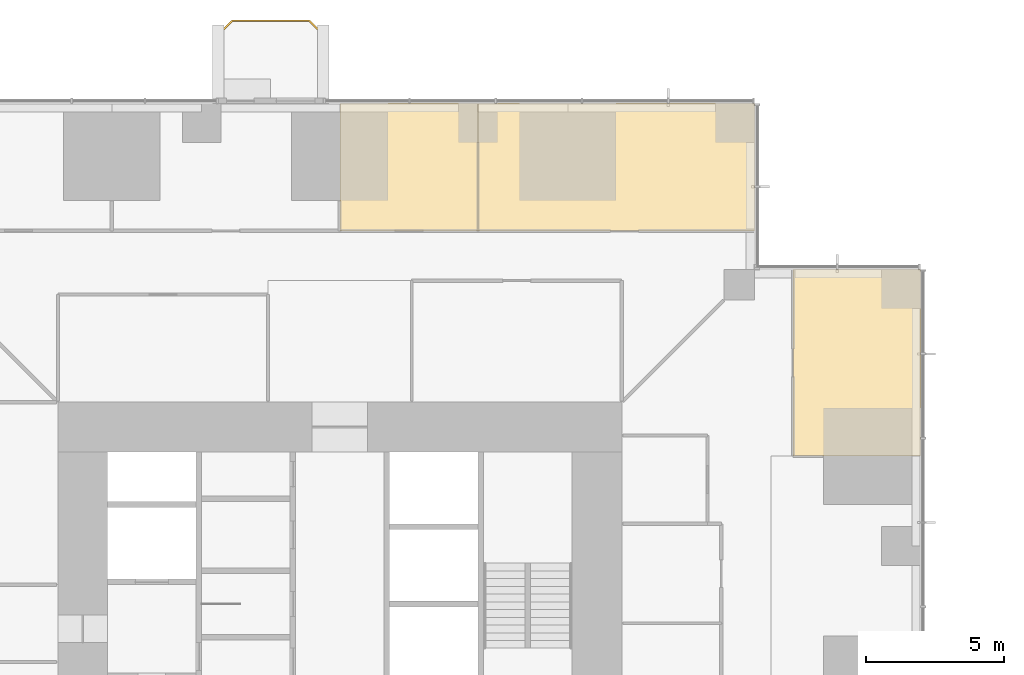
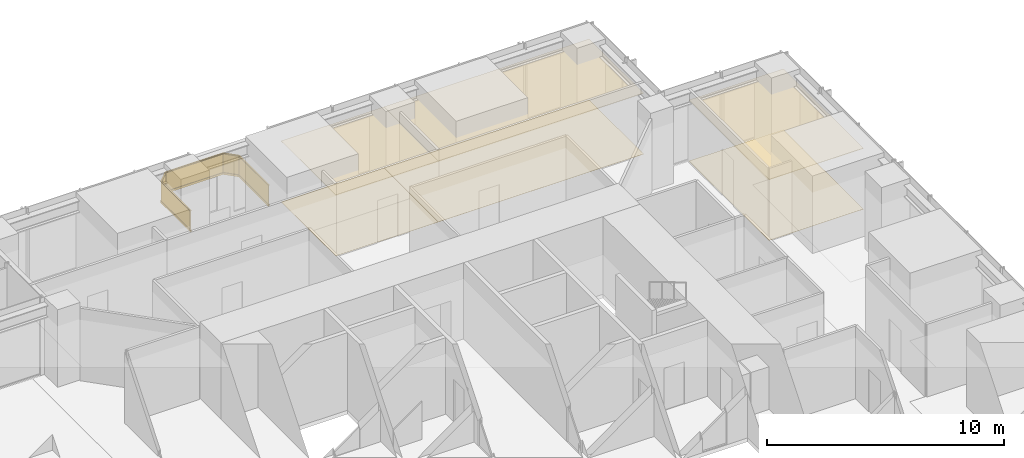
# One storey, part 15 of 16: 6 coverings, 1 railing.
"""IFC4 building model written with IfcOpenShell, lengths in metres."""

from ifc_helpers import new_model, si_unit, direction, frame, origin, origin_2d, place, context, subcontext, project, spatial, polyline, rectangle, outline, extrude, material, layer, layer_set, type_object, element, save


model = new_model("IFC4")

# Units and contexts
model_context = context("Model", 3, precision=1e-05, world=origin(), true_north=direction((0.0, 1.0)))
body_context = subcontext(model_context, "Body", "Model", "MODEL_VIEW")
ifc_project = project(units=[si_unit("LENGTHUNIT", "METRE"), si_unit("AREAUNIT", "SQUARE_METRE"), si_unit("VOLUMEUNIT", "CUBIC_METRE"), si_unit("PLANEANGLEUNIT", "RADIAN"), si_unit("MASSUNIT", "GRAM", prefix="KILO")], contexts=[model_context])

# Site, building, storey
site_placement = place(None, origin())
site = spatial("IfcSite", under=ifc_project, at=site_placement, CompositionType="ELEMENT")
building_placement = place(site_placement, origin())
building = spatial("IfcBuilding", under=site, at=building_placement, Name="Svetlomir Tower", CompositionType="ELEMENT")
storey_placement = place(building_placement, frame((0.0, 0.0, 50.5)))
storey = spatial("IfcBuildingStorey", under=building, at=storey_placement, Name="L11", CompositionType="ELEMENT", Elevation=50.5)

# Railing
ifc_material_1 = material(Name="Bronze anodised aluminium and laminated glass", Category="aluminium")
railing_type = type_object("IfcRailingType", Name="BALCONY GUARD GR1 1100", PredefinedType="GUARDRAIL", material=ifc_material_1)
railing_placement = place(storey_placement, frame((20.39990234375, 42.0, 0.0)))
element("IfcRailing", 1, at=railing_placement, inside=storey, type_object=railing_type, Name="Balcony guard N L11", PredefinedType="GUARDRAIL", context=body_context, shape_type="SweptSolid", body=[
    extrude(rectangle(XDim=0.06005859375, YDim=0.10009765625, at=origin_2d()), frame((0.0, 0.0, 0.050048828125), z_axis=(0.0, 1.0, 0.0), x_axis=(-1.0, 0.0, 0.0)), (0.0, 0.0, 1.0), 2.5),
    extrude(rectangle(XDim=0.021484375, YDim=0.960205078125, at=origin_2d()), frame((0.0, 0.0, 0.580078125), z_axis=(0.0, 1.0, 0.0), x_axis=(-1.0, 0.0, 0.0)), (0.0, 0.0, 1.0), 2.5),
    extrude(rectangle(XDim=0.06005859375, YDim=0.0400390625, at=origin_2d()), frame((0.0, 0.0, 1.080078125), z_axis=(0.0, 1.0, 0.0), x_axis=(-1.0, 0.0, 0.0)), (0.0, 0.0, 1.0), 2.5),
    extrude(rectangle(XDim=0.06005859375, YDim=0.10009765625, at=origin_2d()), frame((0.0, 2.5, 0.050048828125), z_axis=(-0.707106781187, 0.707106781187, 0.0), x_axis=(-0.707106781187, -0.707106781187, 0.0)), (0.0, 0.0, 1.0), 0.70703125),
    extrude(rectangle(XDim=0.021484375, YDim=0.960205078125, at=origin_2d()), frame((0.0, 2.5, 0.580078125), z_axis=(-0.707106781187, 0.707106781187, 0.0), x_axis=(-0.707106781187, -0.707106781187, 0.0)), (0.0, 0.0, 1.0), 0.70703125),
    extrude(rectangle(XDim=0.06005859375, YDim=0.0400390625, at=origin_2d()), frame((0.0, 2.5, 1.080078125), z_axis=(-0.707106781187, 0.707106781187, 0.0), x_axis=(-0.707106781187, -0.707106781187, 0.0)), (0.0, 0.0, 1.0), 0.70703125),
    extrude(rectangle(XDim=0.06005859375, YDim=0.10009765625, at=origin_2d()), frame((-0.5, 3.0, 0.050048828125), z_axis=(-1.0, 0.0, 0.0), x_axis=(0.0, -1.0, 0.0)), (0.0, 0.0, 1.0), 2.7998046875),
    extrude(rectangle(XDim=0.021484375, YDim=0.960205078125, at=origin_2d()), frame((-0.5, 3.0, 0.580078125), z_axis=(-1.0, 0.0, 0.0), x_axis=(0.0, -1.0, 0.0)), (0.0, 0.0, 1.0), 2.7998046875),
    extrude(rectangle(XDim=0.06005859375, YDim=0.0400390625, at=origin_2d()), frame((-0.5, 3.0, 1.080078125), z_axis=(-1.0, 0.0, 0.0), x_axis=(0.0, -1.0, 0.0)), (0.0, 0.0, 1.0), 2.7998046875),
    extrude(rectangle(XDim=0.06005859375, YDim=0.10009765625, at=origin_2d()), frame((-3.2998046875, 3.0, 0.050048828125), z_axis=(-0.707106781187, -0.707106781187, 0.0), x_axis=(0.707106781187, -0.707106781187, 0.0)), (0.0, 0.0, 1.0), 0.70703125),
    extrude(rectangle(XDim=0.021484375, YDim=0.960205078125, at=origin_2d()), frame((-3.2998046875, 3.0, 0.580078125), z_axis=(-0.707106781187, -0.707106781187, 0.0), x_axis=(0.707106781187, -0.707106781187, 0.0)), (0.0, 0.0, 1.0), 0.70703125),
    extrude(rectangle(XDim=0.06005859375, YDim=0.0400390625, at=origin_2d()), frame((-3.2998046875, 3.0, 1.080078125), z_axis=(-0.707106781187, -0.707106781187, 0.0), x_axis=(0.707106781187, -0.707106781187, 0.0)), (0.0, 0.0, 1.0), 0.70703125),
    extrude(rectangle(XDim=0.06005859375, YDim=0.10009765625, at=origin_2d()), frame((-3.7998046875, 2.5, 0.050048828125), z_axis=(0.0, -1.0, 0.0), x_axis=(1.0, 0.0, 0.0)), (0.0, 0.0, 1.0), 2.5),
    extrude(rectangle(XDim=0.021484375, YDim=0.960205078125, at=origin_2d()), frame((-3.7998046875, 2.5, 0.580078125), z_axis=(0.0, -1.0, 0.0), x_axis=(1.0, 0.0, 0.0)), (0.0, 0.0, 1.0), 2.5),
    extrude(rectangle(XDim=0.06005859375, YDim=0.0400390625, at=origin_2d()), frame((-3.7998046875, 2.5, 1.080078125), z_axis=(0.0, -1.0, 0.0), x_axis=(1.0, 0.0, 0.0)), (0.0, 0.0, 1.0), 2.5),
])

# Coverings
ifc_material_2 = material(Name="Carpet tile", Category="textile")
ifc_layer_1 = layer(ifc_material_2, 0.010009765625)
ifc_layer_set_1 = layer_set([ifc_layer_1], Name="Carpet tile")
covering_type_1 = type_object("IfcCoveringType", Name="CARPET TILE FLOOR 10", PredefinedType="FLOORING", material=ifc_layer_set_1)
covering_1_placement = place(storey_placement, origin())
element("IfcCovering", 2, at=covering_1_placement, inside=storey, type_object=covering_type_1, Name="Floor finish L11-26", PredefinedType="FLOORING", context=body_context, shape_type="SweptSolid", body=[
    extrude(outline(polyline([(37.39990234375, 29.25), (42.0, 29.25), (42.0, 36.0), (37.39990234375, 36.0), (37.39990234375, 29.25)])), origin(), (0.0, 0.0, 1.0), 0.010009765625),
])
covering_2_placement = place(storey_placement, origin())
element("IfcCovering", 3, at=covering_2_placement, inside=storey, type_object=covering_type_1, Name="Floor finish L11-30", PredefinedType="FLOORING", context=body_context, shape_type="SweptSolid", body=[
    extrude(outline(polyline([(21.0, 37.39990234375), (26.0, 37.39990234375), (26.0, 42.0), (21.0, 42.0), (21.0, 37.39990234375)])), origin(), (0.0, 0.0, 1.0), 0.010009765625),
])
covering_3_placement = place(storey_placement, origin())
element("IfcCovering", 4, at=covering_3_placement, inside=storey, type_object=covering_type_1, Name="Floor finish L11-47", PredefinedType="FLOORING", context=body_context, shape_type="SweptSolid", body=[
    extrude(outline(polyline([(36.0, 42.0), (36.0, 37.39990234375), (26.0, 37.39990234375), (26.0, 42.0), (36.0, 42.0)])), origin(), (0.0, 0.0, 1.0), 0.010009765625),
])
ifc_material_3 = material(Name="Mineral fibre ceiling tile", Category="mineral")
ifc_layer_2 = layer(ifc_material_3, 0.02001953125)
ifc_layer_set_2 = layer_set([ifc_layer_2], Name="Mineral fibre ceiling tile")
covering_type_2 = type_object("IfcCoveringType", Name="SUSPENDED CEILING 20", PredefinedType="CEILING", material=ifc_layer_set_2)
covering_4_placement = place(storey_placement, frame((0.0, 0.0, 3.1298828125)))
element("IfcCovering", 5, at=covering_4_placement, inside=storey, type_object=covering_type_2, Name="Ceiling L11-26", PredefinedType="CEILING", context=body_context, shape_type="SweptSolid", body=[
    extrude(outline(polyline([(37.39990234375, 29.25), (42.0, 29.25), (42.0, 36.0), (37.39990234375, 36.0), (37.39990234375, 29.25)])), origin(), (0.0, 0.0, 1.0), 0.02001953125),
])
covering_5_placement = place(storey_placement, frame((0.0, 0.0, 3.1298828125)))
element("IfcCovering", 6, at=covering_5_placement, inside=storey, type_object=covering_type_2, Name="Ceiling L11-30", PredefinedType="CEILING", context=body_context, shape_type="SweptSolid", body=[
    extrude(outline(polyline([(21.0, 37.39990234375), (26.0, 37.39990234375), (26.0, 42.0), (21.0, 42.0), (21.0, 37.39990234375)])), origin(), (0.0, 0.0, 1.0), 0.02001953125),
])
covering_6_placement = place(storey_placement, frame((0.0, 0.0, 3.1298828125)))
element("IfcCovering", 7, at=covering_6_placement, inside=storey, type_object=covering_type_2, Name="Ceiling L11-47", PredefinedType="CEILING", context=body_context, shape_type="SweptSolid", body=[
    extrude(outline(polyline([(36.0, 42.0), (36.0, 37.39990234375), (26.0, 37.39990234375), (26.0, 42.0), (36.0, 42.0)])), origin(), (0.0, 0.0, 1.0), 0.02001953125),
])

save(model, "model.ifc")
